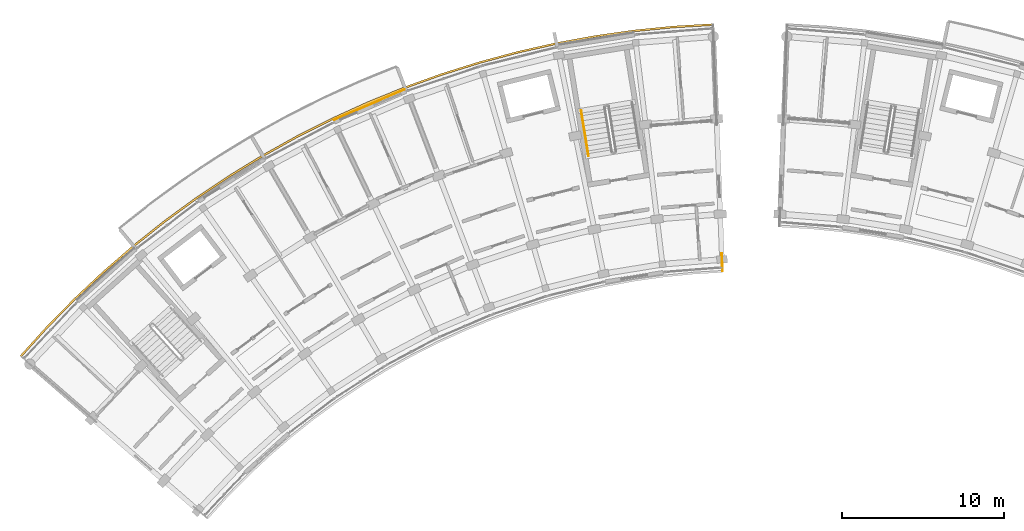
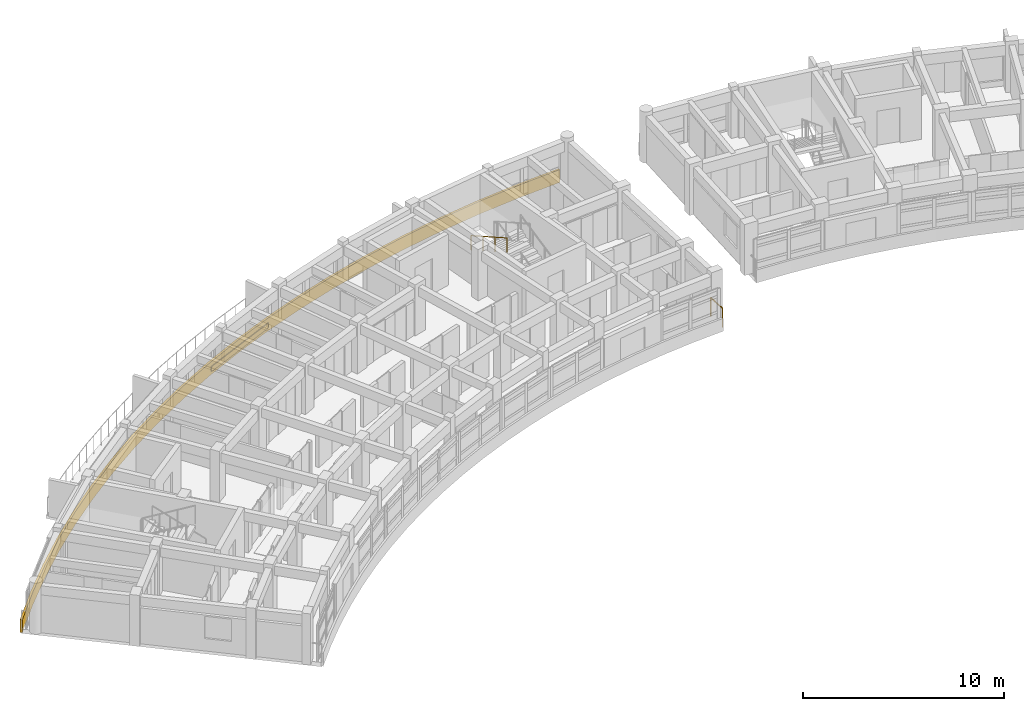
# One storey, part 34 of 40: 3 railings, 1 covering.
"""IFC4 building model written with IfcOpenShell, lengths in metres."""

from ifc_helpers import new_model, si_unit, direction, frame, origin, origin_2d, place, context, subcontext, project, spatial, polyline, rectangle, circle, outline, extrude, material, layer, layer_set, type_object, element, save


model = new_model("IFC4")

# Units and contexts
model_context = context("Model", 3, precision=1e-05, world=origin(), true_north=direction((0.0, 1.0)))
body_context = subcontext(model_context, "Body", "Model", "MODEL_VIEW")
ifc_project = project(units=[si_unit("LENGTHUNIT", "METRE"), si_unit("AREAUNIT", "SQUARE_METRE"), si_unit("VOLUMEUNIT", "CUBIC_METRE"), si_unit("PLANEANGLEUNIT", "RADIAN"), si_unit("MASSUNIT", "GRAM", prefix="KILO")], contexts=[model_context])

# Site, building, storey
site_placement = place(None, origin())
site = spatial("IfcSite", under=ifc_project, at=site_placement, CompositionType="ELEMENT")
building_placement = place(site_placement, origin())
building = spatial("IfcBuilding", under=site, at=building_placement, Name="Zimvara Arc Housing Community", CompositionType="ELEMENT")
storey_placement = place(building_placement, frame((0.0, 0.0, 32.89990234375)))
storey = spatial("IfcBuildingStorey", under=building, at=storey_placement, Name="L10", CompositionType="ELEMENT", Elevation=32.89990234375)

# Covering
ifc_material_1 = material(Name="Pale-Gold Anodised Aluminium Cladding", Category="aluminium")
ifc_layer = layer(ifc_material_1, 0.044921875)
ifc_layer_set = layer_set([ifc_layer], Name="Pale-Gold Anodised Aluminium Cladding")
covering_type = type_object("IfcCoveringType", Name="CLD-GOLD-02", PredefinedType="CLADDING", material=ifc_layer_set)
covering_placement = place(storey_placement, frame((21.51416015625, 99.13818359375, 0.01025390625), z_axis=(0.0, 0.0, 1.0), x_axis=(0.918721611116, 0.394905813161, 0.0)))
element("IfcCovering", 1, at=covering_placement, inside=storey, type_object=covering_type, Name="cld:blkA:L10:out:b5", PredefinedType="CLADDING", context=body_context, shape_type="SweptSolid", body=[
    extrude(rectangle(XDim=4.748779296875, YDim=0.044921875, at=origin_2d()), origin(), (0.0, 0.0, 1.0), 0.300048828125),
])

# Railings
ifc_material_2 = material(Name="Anodised Aluminium AW-6063", Category="aluminium")
railing_type_1 = type_object("IfcRailingType", Name="RLG-BAL-1150", PredefinedType="BALUSTRADE", material=ifc_material_2)
railing_1_placement = place(storey_placement, frame((43.295654296875, 88.8671875, 0.0)))
element("IfcRailing", 2, at=railing_1_placement, inside=storey, type_object=railing_type_1, Name="rlg:blkA:L10:gable_in:gN", PredefinedType="BALUSTRADE", context=body_context, shape_type="SweptSolid", body=[
    extrude(circle(Radius=0.02392578125, at=origin_2d()), frame((0.0, 0.0, 1.1259765625), z_axis=(-0.038424441628, 0.999261508458, 0.0), x_axis=(-0.999261508458, -0.038424441628, 0.0)), (0.0, 0.0, 1.0), 1.080078125),
    extrude(circle(Radius=0.02099609375, at=origin_2d()), origin(), (0.0, 0.0, 1.0), 1.101806640625),
    extrude(circle(Radius=0.02099609375, at=origin_2d()), frame((-0.04150390625, 1.079345703125, 0.0)), (0.0, 0.0, 1.0), 1.101806640625),
])
ifc_material_3 = material(Name="Pale-Gold Anodised Aluminium AW-6063", Category="aluminium")
railing_type_2 = type_object("IfcRailingType", Name="RLG-FAS-780", PredefinedType="BALUSTRADE", material=ifc_material_3)
railing_2_placement = place(storey_placement, frame((0.0, 0.0, -0.219970703125)))
element("IfcRailing", 3, at=railing_2_placement, inside=storey, type_object=railing_type_2, Name="rlg:blkA:L10:gold_out", PredefinedType="BALUSTRADE", context=body_context, shape_type="SweptSolid", body=[
    extrude(outline(polyline([(0.049560546875, 83.574951171875), (1.682373046875, 85.377685546875), (3.387451171875, 87.112060546875), (5.162109375, 88.775634765625), (7.0029296875, 90.365234375), (8.9072265625, 91.87841796875), (10.871826171875, 93.3125), (12.893310546875, 94.665283203125), (14.96826171875, 95.934326171875), (17.09326171875, 97.11767578125), (19.264892578125, 98.213134765625), (21.4794921875, 99.218994140625), (23.733154296875, 100.1337890625), (26.0224609375, 100.955810546875), (28.34326171875, 101.68359375), (30.692138671875, 102.31591796875), (33.064453125, 102.851806640625), (35.45703125, 103.29052734375), (37.865234375, 103.631103515625), (40.28564453125, 103.873046875), (42.713623046875, 104.01611328125), (42.708984375, 104.135986328125), (40.276123046875, 103.99267578125), (37.850830078125, 103.750244140625), (35.437744140625, 103.408935546875), (33.04052734375, 102.969482421875), (30.6630859375, 102.432373046875), (28.309814453125, 101.798583984375), (25.984375, 101.069580078125), (23.6904296875, 100.245849609375), (21.43212890625, 99.329345703125), (19.213134765625, 98.3212890625), (17.037109375, 97.2236328125), (14.90771484375, 96.037841796875), (12.82861328125, 94.766357421875), (10.802978515625, 93.410888671875), (8.834716796875, 91.973876953125), (6.926513671875, 90.457763671875), (5.081787109375, 88.86474609375), (3.3037109375, 87.197998046875), (1.59521484375, 85.4599609375), (-0.041015625, 83.653564453125), (0.049560546875, 83.574951171875)])), origin(), (0.0, 0.0, 1.0), 0.780029296875),
])
ifc_material_4 = material(Name="Anodised Aluminium AW-6063", Category="aluminium")
railing_type_3 = type_object("IfcRailingType", Name="RLG-HND-900", PredefinedType="HANDRAIL", material=ifc_material_4)
railing_3_placement = place(storey_placement, frame((34.58056640625, 98.7666015625, 1.705078125)))
element("IfcRailing", 4, at=railing_3_placement, inside=storey, type_object=railing_type_3, Name="L10 ST-A2 stair handrail 2", PredefinedType="HANDRAIL", context=body_context, shape_type="SweptSolid", body=[
    extrude(circle(Radius=0.02392578125, at=origin_2d()), frame((0.0, 0.0, 0.8759765625), z_axis=(0.143721784145, -0.885666177347, 0.441519502474), x_axis=(0.987087819028, 0.160180016, 0.0)), (0.0, 0.0, 1.0), 3.15966796875),
    extrude(circle(Radius=0.02099609375, at=origin_2d()), origin(), (0.0, 0.0, 1.0), 0.851806640625),
    extrude(circle(Radius=0.02099609375, at=origin_2d()), frame((0.1513671875, -0.932861328125, 0.465087890625)), (0.0, 0.0, 1.0), 0.851806640625),
    extrude(circle(Radius=0.02099609375, at=origin_2d()), frame((0.302734375, -1.865478515625, 0.929931640625)), (0.0, 0.0, 1.0), 0.851806640625),
    extrude(circle(Radius=0.02099609375, at=origin_2d()), frame((0.4541015625, -2.79833984375, 1.39501953125)), (0.0, 0.0, 1.0), 0.851806640625),
])

save(model, "model.ifc")
